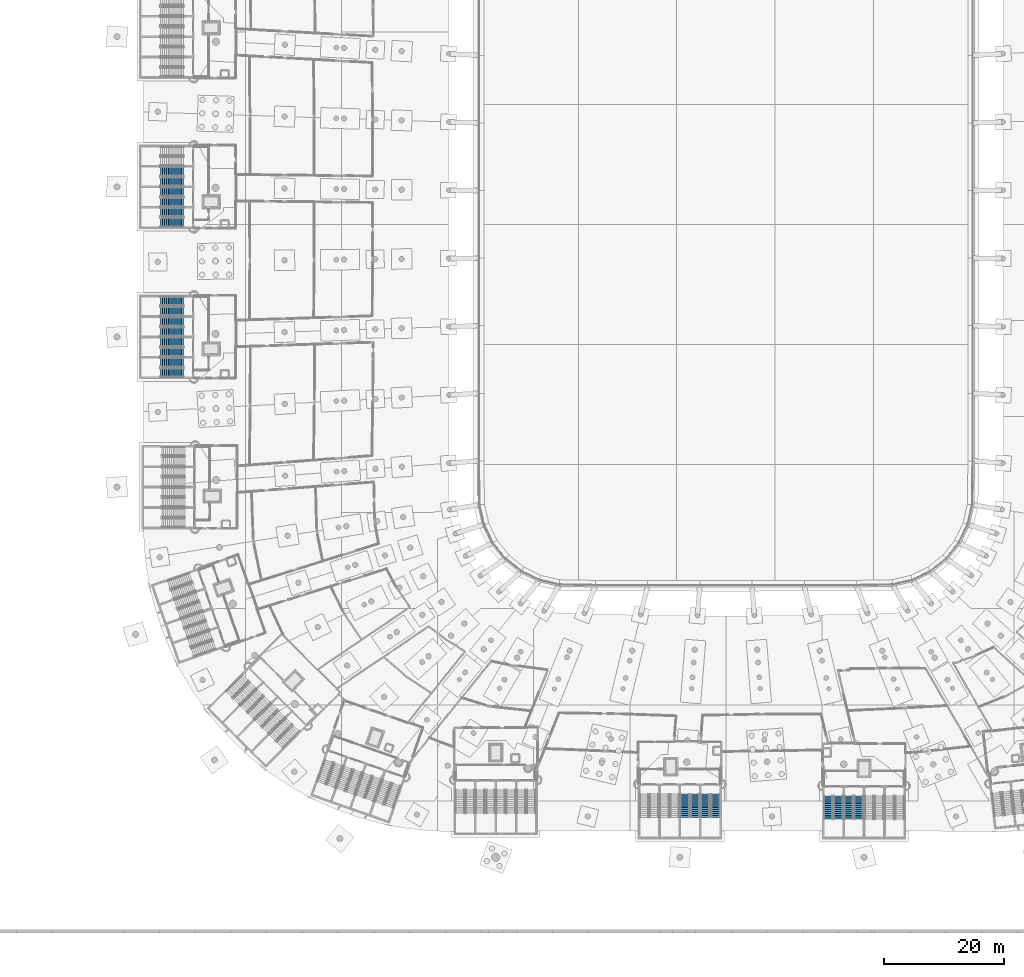
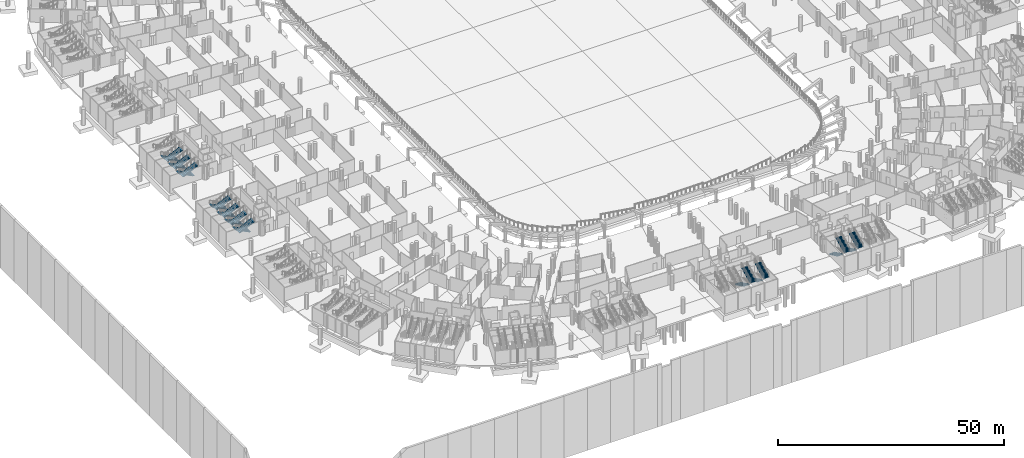
# One storey, part 100 of 142: 22 stair flights, 11 elements without a shape of their own.
"""IFC4 building model written with IfcOpenShell, lengths in metres."""

from ifc_helpers import new_model, si_unit, direction, frame, origin, place, context, subcontext, project, spatial, polyline, outline, extrude, material, type_object, element, aggregate, save


model = new_model("IFC4")

# Units and contexts
model_context = context("Model", 3, precision=1e-05, world=origin(), true_north=direction((0.0, 1.0)))
body_context = subcontext(model_context, "Body", "Model", "MODEL_VIEW")
ifc_project = project(units=[si_unit("LENGTHUNIT", "METRE"), si_unit("AREAUNIT", "SQUARE_METRE"), si_unit("VOLUMEUNIT", "CUBIC_METRE"), si_unit("PLANEANGLEUNIT", "RADIAN"), si_unit("MASSUNIT", "GRAM", prefix="KILO")], contexts=[model_context])

# Site, building, storey
site_placement = place(None, origin())
site = spatial("IfcSite", under=ifc_project, at=site_placement, CompositionType="ELEMENT")
building_placement = place(site_placement, origin())
building = spatial("IfcBuilding", under=site, at=building_placement, Name="Meseta Stadium", CompositionType="ELEMENT")
storey_placement = place(building_placement, frame((0.0, 0.0, -4.0)))
storey = spatial("IfcBuildingStorey", under=building, at=storey_placement, Name="B1", CompositionType="ELEMENT", Elevation=-4.0)

# Stair, stair flights
ifc_material_1 = material(Name="Concrete C40/50", Category="concrete")
stair_type = type_object("IfcStairType", Name="Exit stair 2 flights 154 mm risers", PredefinedType="HALF_TURN_STAIR", material=ifc_material_1)
stair_1_placement = place(storey_placement, origin())
stair_1 = element("IfcStair", 1, at=stair_1_placement, inside=storey, type_object=stair_type, Name="ST66 B1", PredefinedType="HALF_TURN_STAIR")
ifc_material_2 = material(Name="Concrete C40/50", Category="concrete")
stair_flight_type = type_object("IfcStairFlightType", Name="Exit stair flight 154 mm risers, 2 per storey", PredefinedType="STRAIGHT", material=ifc_material_2)
stair_flight_1_placement = place(storey_placement, frame((-90.300048828125, 8.800048828125, 0.0), z_axis=(0.0, 0.0, 1.0), x_axis=(-1.0, 0.0, 0.0)))
stair_flight_1 = element("IfcStairFlight", 2, at=stair_flight_1_placement, type_object=stair_flight_type, Name="ST66 B1 flight 1", NumberOfRisers=13, NumberOfTreads=12, PredefinedType="STRAIGHT", RiserHeight=0.153846154, TreadLength=0.32, context=body_context, shape_type="SweptSolid", body=[
    extrude(outline(polyline([(0.0, 0.0), (0.0, 0.15380859375), (0.320068359375, 0.15380859375), (0.320068359375, 0.3076171875), (0.639892578125, 0.3076171875), (0.639892578125, 0.46142578125), (0.9599609375, 0.46142578125), (0.9599609375, 0.615478515625), (1.280029296875, 0.615478515625), (1.280029296875, 0.769287109375), (1.60009765625, 0.769287109375), (1.60009765625, 0.923095703125), (1.919921875, 0.923095703125), (1.919921875, 1.076904296875), (2.239990234375, 1.076904296875), (2.239990234375, 1.230712890625), (2.56005859375, 1.230712890625), (2.56005859375, 1.384521484375), (2.8798828125, 1.384521484375), (2.8798828125, 1.53857421875), (3.199951171875, 1.53857421875), (3.199951171875, 1.6923828125), (3.52001953125, 1.6923828125), (3.52001953125, 1.84619140625), (3.840087890625, 1.84619140625), (3.840087890625, 1.679931640625), (0.345947265625, 0.0), (0.0, 0.0)])), frame((0.0, 0.75, 0.0), z_axis=(0.0, -1.0, 0.0), x_axis=(1.0, 0.0, 0.0)), (0.0, 0.0, 1.0), 1.5),
])
stair_flight_2_placement = place(storey_placement, frame((-94.139892578125, 7.10009765625, 2.0), z_axis=(0.0, 0.0, 1.0), x_axis=(1.0, 0.0, 0.0)))
stair_flight_2 = element("IfcStairFlight", 3, at=stair_flight_2_placement, type_object=stair_flight_type, Name="ST66 B1 flight 2", NumberOfRisers=13, NumberOfTreads=12, PredefinedType="STRAIGHT", RiserHeight=0.153846154, TreadLength=0.32, context=body_context, shape_type="SweptSolid", body=[
    extrude(outline(polyline([(0.0, 0.0), (0.0, 0.15380859375), (0.320068359375, 0.15380859375), (0.320068359375, 0.3076171875), (0.639892578125, 0.3076171875), (0.639892578125, 0.46142578125), (0.9599609375, 0.46142578125), (0.9599609375, 0.615478515625), (1.280029296875, 0.615478515625), (1.280029296875, 0.769287109375), (1.60009765625, 0.769287109375), (1.60009765625, 0.923095703125), (1.919921875, 0.923095703125), (1.919921875, 1.076904296875), (2.239990234375, 1.076904296875), (2.239990234375, 1.230712890625), (2.56005859375, 1.230712890625), (2.56005859375, 1.384521484375), (2.8798828125, 1.384521484375), (2.8798828125, 1.53857421875), (3.199951171875, 1.53857421875), (3.199951171875, 1.6923828125), (3.52001953125, 1.6923828125), (3.52001953125, 1.84619140625), (3.840087890625, 1.84619140625), (3.840087890625, 1.679931640625), (0.345947265625, 0.0), (0.0, 0.0)])), frame((0.0, 0.75, 0.0), z_axis=(0.0, -1.0, 0.0), x_axis=(1.0, 0.0, 0.0)), (0.0, 0.0, 1.0), 1.5),
])
aggregate(stair_1, [stair_flight_1, stair_flight_2])

stair_2_placement = place(storey_placement, origin())
stair_2 = element("IfcStair", 4, at=stair_2_placement, inside=storey, type_object=stair_type, Name="ST67 B1", PredefinedType="HALF_TURN_STAIR")
stair_flight_3_placement = place(storey_placement, frame((-90.300048828125, 5.39990234375, 0.0), z_axis=(0.0, 0.0, 1.0), x_axis=(-1.0, 0.0, 0.0)))
stair_flight_3 = element("IfcStairFlight", 5, at=stair_flight_3_placement, type_object=stair_flight_type, Name="ST67 B1 flight 1", NumberOfRisers=13, NumberOfTreads=12, PredefinedType="STRAIGHT", RiserHeight=0.153846154, TreadLength=0.32, context=body_context, shape_type="SweptSolid", body=[
    extrude(outline(polyline([(0.0, 0.0), (0.0, 0.15380859375), (0.320068359375, 0.15380859375), (0.320068359375, 0.3076171875), (0.639892578125, 0.3076171875), (0.639892578125, 0.46142578125), (0.9599609375, 0.46142578125), (0.9599609375, 0.615478515625), (1.280029296875, 0.615478515625), (1.280029296875, 0.769287109375), (1.60009765625, 0.769287109375), (1.60009765625, 0.923095703125), (1.919921875, 0.923095703125), (1.919921875, 1.076904296875), (2.239990234375, 1.076904296875), (2.239990234375, 1.230712890625), (2.56005859375, 1.230712890625), (2.56005859375, 1.384521484375), (2.8798828125, 1.384521484375), (2.8798828125, 1.53857421875), (3.199951171875, 1.53857421875), (3.199951171875, 1.6923828125), (3.52001953125, 1.6923828125), (3.52001953125, 1.84619140625), (3.840087890625, 1.84619140625), (3.840087890625, 1.679931640625), (0.345947265625, 0.0), (0.0, 0.0)])), frame((0.0, 0.75, 0.0), z_axis=(0.0, -1.0, 0.0), x_axis=(1.0, 0.0, 0.0)), (0.0, 0.0, 1.0), 1.5),
])
stair_flight_4_placement = place(storey_placement, frame((-94.139892578125, 3.699951171875, 2.0), z_axis=(0.0, 0.0, 1.0), x_axis=(1.0, 0.0, 0.0)))
stair_flight_4 = element("IfcStairFlight", 6, at=stair_flight_4_placement, type_object=stair_flight_type, Name="ST67 B1 flight 2", NumberOfRisers=13, NumberOfTreads=12, PredefinedType="STRAIGHT", RiserHeight=0.153846154, TreadLength=0.32, context=body_context, shape_type="SweptSolid", body=[
    extrude(outline(polyline([(0.0, 0.0), (0.0, 0.15380859375), (0.320068359375, 0.15380859375), (0.320068359375, 0.3076171875), (0.639892578125, 0.3076171875), (0.639892578125, 0.46142578125), (0.9599609375, 0.46142578125), (0.9599609375, 0.615478515625), (1.280029296875, 0.615478515625), (1.280029296875, 0.769287109375), (1.60009765625, 0.769287109375), (1.60009765625, 0.923095703125), (1.919921875, 0.923095703125), (1.919921875, 1.076904296875), (2.239990234375, 1.076904296875), (2.239990234375, 1.230712890625), (2.56005859375, 1.230712890625), (2.56005859375, 1.384521484375), (2.8798828125, 1.384521484375), (2.8798828125, 1.53857421875), (3.199951171875, 1.53857421875), (3.199951171875, 1.6923828125), (3.52001953125, 1.6923828125), (3.52001953125, 1.84619140625), (3.840087890625, 1.84619140625), (3.840087890625, 1.679931640625), (0.345947265625, 0.0), (0.0, 0.0)])), frame((0.0, 0.75, 0.0), z_axis=(0.0, -1.0, 0.0), x_axis=(1.0, 0.0, 0.0)), (0.0, 0.0, 1.0), 1.5),
])
aggregate(stair_2, [stair_flight_3, stair_flight_4])

stair_3_placement = place(storey_placement, origin())
stair_3 = element("IfcStair", 7, at=stair_3_placement, inside=storey, type_object=stair_type, Name="ST68 B1", PredefinedType="HALF_TURN_STAIR")
stair_flight_5_placement = place(storey_placement, frame((-90.300048828125, 2.0, 0.0), z_axis=(0.0, 0.0, 1.0), x_axis=(-1.0, 0.0, 0.0)))
stair_flight_5 = element("IfcStairFlight", 8, at=stair_flight_5_placement, type_object=stair_flight_type, Name="ST68 B1 flight 1", NumberOfRisers=13, NumberOfTreads=12, PredefinedType="STRAIGHT", RiserHeight=0.153846154, TreadLength=0.32, context=body_context, shape_type="SweptSolid", body=[
    extrude(outline(polyline([(0.0, 0.0), (0.0, 0.15380859375), (0.320068359375, 0.15380859375), (0.320068359375, 0.3076171875), (0.639892578125, 0.3076171875), (0.639892578125, 0.46142578125), (0.9599609375, 0.46142578125), (0.9599609375, 0.615478515625), (1.280029296875, 0.615478515625), (1.280029296875, 0.769287109375), (1.60009765625, 0.769287109375), (1.60009765625, 0.923095703125), (1.919921875, 0.923095703125), (1.919921875, 1.076904296875), (2.239990234375, 1.076904296875), (2.239990234375, 1.230712890625), (2.56005859375, 1.230712890625), (2.56005859375, 1.384521484375), (2.8798828125, 1.384521484375), (2.8798828125, 1.53857421875), (3.199951171875, 1.53857421875), (3.199951171875, 1.6923828125), (3.52001953125, 1.6923828125), (3.52001953125, 1.84619140625), (3.840087890625, 1.84619140625), (3.840087890625, 1.679931640625), (0.345947265625, 0.0), (0.0, 0.0)])), frame((0.0, 0.75, 0.0), z_axis=(0.0, -1.0, 0.0), x_axis=(1.0, 0.0, 0.0)), (0.0, 0.0, 1.0), 1.5),
])
stair_flight_6_placement = place(storey_placement, frame((-94.139892578125, 0.300048828125, 2.0), z_axis=(0.0, 0.0, 1.0), x_axis=(1.0, 0.0, 0.0)))
stair_flight_6 = element("IfcStairFlight", 9, at=stair_flight_6_placement, type_object=stair_flight_type, Name="ST68 B1 flight 2", NumberOfRisers=13, NumberOfTreads=12, PredefinedType="STRAIGHT", RiserHeight=0.153846154, TreadLength=0.32, context=body_context, shape_type="SweptSolid", body=[
    extrude(outline(polyline([(0.0, 0.0), (0.0, 0.15380859375), (0.320068359375, 0.15380859375), (0.320068359375, 0.3076171875), (0.639892578125, 0.3076171875), (0.639892578125, 0.46142578125), (0.9599609375, 0.46142578125), (0.9599609375, 0.615478515625), (1.280029296875, 0.615478515625), (1.280029296875, 0.769287109375), (1.60009765625, 0.769287109375), (1.60009765625, 0.923095703125), (1.919921875, 0.923095703125), (1.919921875, 1.076904296875), (2.239990234375, 1.076904296875), (2.239990234375, 1.230712890625), (2.56005859375, 1.230712890625), (2.56005859375, 1.384521484375), (2.8798828125, 1.384521484375), (2.8798828125, 1.53857421875), (3.199951171875, 1.53857421875), (3.199951171875, 1.6923828125), (3.52001953125, 1.6923828125), (3.52001953125, 1.84619140625), (3.840087890625, 1.84619140625), (3.840087890625, 1.679931640625), (0.345947265625, 0.0), (0.0, 0.0)])), frame((0.0, 0.75, 0.0), z_axis=(0.0, -1.0, 0.0), x_axis=(1.0, 0.0, 0.0)), (0.0, 0.0, 1.0), 1.5),
])
aggregate(stair_3, [stair_flight_5, stair_flight_6])

stair_4_placement = place(storey_placement, origin())
stair_4 = element("IfcStair", 10, at=stair_4_placement, inside=storey, type_object=stair_type, Name="ST69 B1", PredefinedType="HALF_TURN_STAIR")
stair_flight_7_placement = place(storey_placement, frame((-90.300048828125, -12.800048828125, 0.0), z_axis=(0.0, 0.0, 1.0), x_axis=(-1.0, 0.0, 0.0)))
stair_flight_7 = element("IfcStairFlight", 11, at=stair_flight_7_placement, type_object=stair_flight_type, Name="ST69 B1 flight 1", NumberOfRisers=13, NumberOfTreads=12, PredefinedType="STRAIGHT", RiserHeight=0.153846154, TreadLength=0.32, context=body_context, shape_type="SweptSolid", body=[
    extrude(outline(polyline([(0.0, 0.0), (0.0, 0.15380859375), (0.320068359375, 0.15380859375), (0.320068359375, 0.3076171875), (0.639892578125, 0.3076171875), (0.639892578125, 0.46142578125), (0.9599609375, 0.46142578125), (0.9599609375, 0.615478515625), (1.280029296875, 0.615478515625), (1.280029296875, 0.769287109375), (1.60009765625, 0.769287109375), (1.60009765625, 0.923095703125), (1.919921875, 0.923095703125), (1.919921875, 1.076904296875), (2.239990234375, 1.076904296875), (2.239990234375, 1.230712890625), (2.56005859375, 1.230712890625), (2.56005859375, 1.384521484375), (2.8798828125, 1.384521484375), (2.8798828125, 1.53857421875), (3.199951171875, 1.53857421875), (3.199951171875, 1.6923828125), (3.52001953125, 1.6923828125), (3.52001953125, 1.84619140625), (3.840087890625, 1.84619140625), (3.840087890625, 1.679931640625), (0.345947265625, 0.0), (0.0, 0.0)])), frame((0.0, 0.75, 0.0), z_axis=(0.0, -1.0, 0.0), x_axis=(1.0, 0.0, 0.0)), (0.0, 0.0, 1.0), 1.5),
])
stair_flight_8_placement = place(storey_placement, frame((-94.139892578125, -14.5, 2.0), z_axis=(0.0, 0.0, 1.0), x_axis=(1.0, 0.0, 0.0)))
stair_flight_8 = element("IfcStairFlight", 12, at=stair_flight_8_placement, type_object=stair_flight_type, Name="ST69 B1 flight 2", NumberOfRisers=13, NumberOfTreads=12, PredefinedType="STRAIGHT", RiserHeight=0.153846154, TreadLength=0.32, context=body_context, shape_type="SweptSolid", body=[
    extrude(outline(polyline([(0.0, 0.0), (0.0, 0.15380859375), (0.320068359375, 0.15380859375), (0.320068359375, 0.3076171875), (0.639892578125, 0.3076171875), (0.639892578125, 0.46142578125), (0.9599609375, 0.46142578125), (0.9599609375, 0.615478515625), (1.280029296875, 0.615478515625), (1.280029296875, 0.769287109375), (1.60009765625, 0.769287109375), (1.60009765625, 0.923095703125), (1.919921875, 0.923095703125), (1.919921875, 1.076904296875), (2.239990234375, 1.076904296875), (2.239990234375, 1.230712890625), (2.56005859375, 1.230712890625), (2.56005859375, 1.384521484375), (2.8798828125, 1.384521484375), (2.8798828125, 1.53857421875), (3.199951171875, 1.53857421875), (3.199951171875, 1.6923828125), (3.52001953125, 1.6923828125), (3.52001953125, 1.84619140625), (3.840087890625, 1.84619140625), (3.840087890625, 1.679931640625), (0.345947265625, 0.0), (0.0, 0.0)])), frame((0.0, 0.75, 0.0), z_axis=(0.0, -1.0, 0.0), x_axis=(1.0, 0.0, 0.0)), (0.0, 0.0, 1.0), 1.5),
])
aggregate(stair_4, [stair_flight_7, stair_flight_8])

stair_5_placement = place(storey_placement, origin())
stair_5 = element("IfcStair", 13, at=stair_5_placement, inside=storey, type_object=stair_type, Name="ST70 B1", PredefinedType="HALF_TURN_STAIR")
stair_flight_9_placement = place(storey_placement, frame((-90.300048828125, -16.199951171875, 0.0), z_axis=(0.0, 0.0, 1.0), x_axis=(-1.0, 0.0, 0.0)))
stair_flight_9 = element("IfcStairFlight", 14, at=stair_flight_9_placement, type_object=stair_flight_type, Name="ST70 B1 flight 1", NumberOfRisers=13, NumberOfTreads=12, PredefinedType="STRAIGHT", RiserHeight=0.153846154, TreadLength=0.32, context=body_context, shape_type="SweptSolid", body=[
    extrude(outline(polyline([(0.0, 0.0), (0.0, 0.15380859375), (0.320068359375, 0.15380859375), (0.320068359375, 0.3076171875), (0.639892578125, 0.3076171875), (0.639892578125, 0.46142578125), (0.9599609375, 0.46142578125), (0.9599609375, 0.615478515625), (1.280029296875, 0.615478515625), (1.280029296875, 0.769287109375), (1.60009765625, 0.769287109375), (1.60009765625, 0.923095703125), (1.919921875, 0.923095703125), (1.919921875, 1.076904296875), (2.239990234375, 1.076904296875), (2.239990234375, 1.230712890625), (2.56005859375, 1.230712890625), (2.56005859375, 1.384521484375), (2.8798828125, 1.384521484375), (2.8798828125, 1.53857421875), (3.199951171875, 1.53857421875), (3.199951171875, 1.6923828125), (3.52001953125, 1.6923828125), (3.52001953125, 1.84619140625), (3.840087890625, 1.84619140625), (3.840087890625, 1.679931640625), (0.345947265625, 0.0), (0.0, 0.0)])), frame((0.0, 0.75, 0.0), z_axis=(0.0, -1.0, 0.0), x_axis=(1.0, 0.0, 0.0)), (0.0, 0.0, 1.0), 1.5),
])
stair_flight_10_placement = place(storey_placement, frame((-94.139892578125, -17.89990234375, 2.0), z_axis=(0.0, 0.0, 1.0), x_axis=(1.0, 0.0, 0.0)))
stair_flight_10 = element("IfcStairFlight", 15, at=stair_flight_10_placement, type_object=stair_flight_type, Name="ST70 B1 flight 2", NumberOfRisers=13, NumberOfTreads=12, PredefinedType="STRAIGHT", RiserHeight=0.153846154, TreadLength=0.32, context=body_context, shape_type="SweptSolid", body=[
    extrude(outline(polyline([(0.0, 0.0), (0.0, 0.15380859375), (0.320068359375, 0.15380859375), (0.320068359375, 0.3076171875), (0.639892578125, 0.3076171875), (0.639892578125, 0.46142578125), (0.9599609375, 0.46142578125), (0.9599609375, 0.615478515625), (1.280029296875, 0.615478515625), (1.280029296875, 0.769287109375), (1.60009765625, 0.769287109375), (1.60009765625, 0.923095703125), (1.919921875, 0.923095703125), (1.919921875, 1.076904296875), (2.239990234375, 1.076904296875), (2.239990234375, 1.230712890625), (2.56005859375, 1.230712890625), (2.56005859375, 1.384521484375), (2.8798828125, 1.384521484375), (2.8798828125, 1.53857421875), (3.199951171875, 1.53857421875), (3.199951171875, 1.6923828125), (3.52001953125, 1.6923828125), (3.52001953125, 1.84619140625), (3.840087890625, 1.84619140625), (3.840087890625, 1.679931640625), (0.345947265625, 0.0), (0.0, 0.0)])), frame((0.0, 0.75, 0.0), z_axis=(0.0, -1.0, 0.0), x_axis=(1.0, 0.0, 0.0)), (0.0, 0.0, 1.0), 1.5),
])
aggregate(stair_5, [stair_flight_9, stair_flight_10])

stair_6_placement = place(storey_placement, origin())
stair_6 = element("IfcStair", 16, at=stair_6_placement, inside=storey, type_object=stair_type, Name="ST71 B1", PredefinedType="HALF_TURN_STAIR")
stair_flight_11_placement = place(storey_placement, frame((-90.300048828125, -19.60009765625, 0.0), z_axis=(0.0, 0.0, 1.0), x_axis=(-1.0, 0.0, 0.0)))
stair_flight_11 = element("IfcStairFlight", 17, at=stair_flight_11_placement, type_object=stair_flight_type, Name="ST71 B1 flight 1", NumberOfRisers=13, NumberOfTreads=12, PredefinedType="STRAIGHT", RiserHeight=0.153846154, TreadLength=0.32, context=body_context, shape_type="SweptSolid", body=[
    extrude(outline(polyline([(0.0, 0.0), (0.0, 0.15380859375), (0.320068359375, 0.15380859375), (0.320068359375, 0.3076171875), (0.639892578125, 0.3076171875), (0.639892578125, 0.46142578125), (0.9599609375, 0.46142578125), (0.9599609375, 0.615478515625), (1.280029296875, 0.615478515625), (1.280029296875, 0.769287109375), (1.60009765625, 0.769287109375), (1.60009765625, 0.923095703125), (1.919921875, 0.923095703125), (1.919921875, 1.076904296875), (2.239990234375, 1.076904296875), (2.239990234375, 1.230712890625), (2.56005859375, 1.230712890625), (2.56005859375, 1.384521484375), (2.8798828125, 1.384521484375), (2.8798828125, 1.53857421875), (3.199951171875, 1.53857421875), (3.199951171875, 1.6923828125), (3.52001953125, 1.6923828125), (3.52001953125, 1.84619140625), (3.840087890625, 1.84619140625), (3.840087890625, 1.679931640625), (0.345947265625, 0.0), (0.0, 0.0)])), frame((0.0, 0.75, 0.0), z_axis=(0.0, -1.0, 0.0), x_axis=(1.0, 0.0, 0.0)), (0.0, 0.0, 1.0), 1.5),
])
stair_flight_12_placement = place(storey_placement, frame((-94.139892578125, -21.300048828125, 2.0), z_axis=(0.0, 0.0, 1.0), x_axis=(1.0, 0.0, 0.0)))
stair_flight_12 = element("IfcStairFlight", 18, at=stair_flight_12_placement, type_object=stair_flight_type, Name="ST71 B1 flight 2", NumberOfRisers=13, NumberOfTreads=12, PredefinedType="STRAIGHT", RiserHeight=0.153846154, TreadLength=0.32, context=body_context, shape_type="SweptSolid", body=[
    extrude(outline(polyline([(0.0, 0.0), (0.0, 0.15380859375), (0.320068359375, 0.15380859375), (0.320068359375, 0.3076171875), (0.639892578125, 0.3076171875), (0.639892578125, 0.46142578125), (0.9599609375, 0.46142578125), (0.9599609375, 0.615478515625), (1.280029296875, 0.615478515625), (1.280029296875, 0.769287109375), (1.60009765625, 0.769287109375), (1.60009765625, 0.923095703125), (1.919921875, 0.923095703125), (1.919921875, 1.076904296875), (2.239990234375, 1.076904296875), (2.239990234375, 1.230712890625), (2.56005859375, 1.230712890625), (2.56005859375, 1.384521484375), (2.8798828125, 1.384521484375), (2.8798828125, 1.53857421875), (3.199951171875, 1.53857421875), (3.199951171875, 1.6923828125), (3.52001953125, 1.6923828125), (3.52001953125, 1.84619140625), (3.840087890625, 1.84619140625), (3.840087890625, 1.679931640625), (0.345947265625, 0.0), (0.0, 0.0)])), frame((0.0, 0.75, 0.0), z_axis=(0.0, -1.0, 0.0), x_axis=(1.0, 0.0, 0.0)), (0.0, 0.0, 1.0), 1.5),
])
aggregate(stair_6, [stair_flight_11, stair_flight_12])

stair_7_placement = place(storey_placement, origin())
stair_7 = element("IfcStair", 19, at=stair_7_placement, inside=storey, type_object=stair_type, Name="ST72 B1", PredefinedType="HALF_TURN_STAIR")
stair_flight_13_placement = place(storey_placement, frame((-90.300048828125, -23.0, 0.0), z_axis=(0.0, 0.0, 1.0), x_axis=(-1.0, 0.0, 0.0)))
stair_flight_13 = element("IfcStairFlight", 20, at=stair_flight_13_placement, type_object=stair_flight_type, Name="ST72 B1 flight 1", NumberOfRisers=13, NumberOfTreads=12, PredefinedType="STRAIGHT", RiserHeight=0.153846154, TreadLength=0.32, context=body_context, shape_type="SweptSolid", body=[
    extrude(outline(polyline([(0.0, 0.0), (0.0, 0.15380859375), (0.320068359375, 0.15380859375), (0.320068359375, 0.3076171875), (0.639892578125, 0.3076171875), (0.639892578125, 0.46142578125), (0.9599609375, 0.46142578125), (0.9599609375, 0.615478515625), (1.280029296875, 0.615478515625), (1.280029296875, 0.769287109375), (1.60009765625, 0.769287109375), (1.60009765625, 0.923095703125), (1.919921875, 0.923095703125), (1.919921875, 1.076904296875), (2.239990234375, 1.076904296875), (2.239990234375, 1.230712890625), (2.56005859375, 1.230712890625), (2.56005859375, 1.384521484375), (2.8798828125, 1.384521484375), (2.8798828125, 1.53857421875), (3.199951171875, 1.53857421875), (3.199951171875, 1.6923828125), (3.52001953125, 1.6923828125), (3.52001953125, 1.84619140625), (3.840087890625, 1.84619140625), (3.840087890625, 1.679931640625), (0.345947265625, 0.0), (0.0, 0.0)])), frame((0.0, 0.75, 0.0), z_axis=(0.0, -1.0, 0.0), x_axis=(1.0, 0.0, 0.0)), (0.0, 0.0, 1.0), 1.5),
])
stair_flight_14_placement = place(storey_placement, frame((-94.139892578125, -24.699951171875, 2.0), z_axis=(0.0, 0.0, 1.0), x_axis=(1.0, 0.0, 0.0)))
stair_flight_14 = element("IfcStairFlight", 21, at=stair_flight_14_placement, type_object=stair_flight_type, Name="ST72 B1 flight 2", NumberOfRisers=13, NumberOfTreads=12, PredefinedType="STRAIGHT", RiserHeight=0.153846154, TreadLength=0.32, context=body_context, shape_type="SweptSolid", body=[
    extrude(outline(polyline([(0.0, 0.0), (0.0, 0.15380859375), (0.320068359375, 0.15380859375), (0.320068359375, 0.3076171875), (0.639892578125, 0.3076171875), (0.639892578125, 0.46142578125), (0.9599609375, 0.46142578125), (0.9599609375, 0.615478515625), (1.280029296875, 0.615478515625), (1.280029296875, 0.769287109375), (1.60009765625, 0.769287109375), (1.60009765625, 0.923095703125), (1.919921875, 0.923095703125), (1.919921875, 1.076904296875), (2.239990234375, 1.076904296875), (2.239990234375, 1.230712890625), (2.56005859375, 1.230712890625), (2.56005859375, 1.384521484375), (2.8798828125, 1.384521484375), (2.8798828125, 1.53857421875), (3.199951171875, 1.53857421875), (3.199951171875, 1.6923828125), (3.52001953125, 1.6923828125), (3.52001953125, 1.84619140625), (3.840087890625, 1.84619140625), (3.840087890625, 1.679931640625), (0.345947265625, 0.0), (0.0, 0.0)])), frame((0.0, 0.75, 0.0), z_axis=(0.0, -1.0, 0.0), x_axis=(1.0, 0.0, 0.0)), (0.0, 0.0, 1.0), 1.5),
])
aggregate(stair_7, [stair_flight_13, stair_flight_14])

stair_8_placement = place(storey_placement, origin())
stair_8 = element("IfcStair", 22, at=stair_8_placement, inside=storey, type_object=stair_type, Name="ST95 B1", PredefinedType="HALF_TURN_STAIR")
stair_flight_15_placement = place(storey_placement, frame((-6.816650390625, -94.89990234375, 0.0), z_axis=(0.0, 0.0, 1.0), x_axis=(0.0, -1.0, 0.0)))
stair_flight_15 = element("IfcStairFlight", 23, at=stair_flight_15_placement, type_object=stair_flight_type, Name="ST95 B1 flight 1", NumberOfRisers=13, NumberOfTreads=12, PredefinedType="STRAIGHT", RiserHeight=0.153846154, TreadLength=0.32, context=body_context, shape_type="SweptSolid", body=[
    extrude(outline(polyline([(0.0, 0.0), (0.0, 0.15380859375), (0.320068359375, 0.15380859375), (0.320068359375, 0.3076171875), (0.639892578125, 0.3076171875), (0.639892578125, 0.46142578125), (0.9599609375, 0.46142578125), (0.9599609375, 0.615478515625), (1.280029296875, 0.615478515625), (1.280029296875, 0.769287109375), (1.60009765625, 0.769287109375), (1.60009765625, 0.923095703125), (1.919921875, 0.923095703125), (1.919921875, 1.076904296875), (2.239990234375, 1.076904296875), (2.239990234375, 1.230712890625), (2.56005859375, 1.230712890625), (2.56005859375, 1.384521484375), (2.8798828125, 1.384521484375), (2.8798828125, 1.53857421875), (3.199951171875, 1.53857421875), (3.199951171875, 1.6923828125), (3.52001953125, 1.6923828125), (3.52001953125, 1.84619140625), (3.840087890625, 1.84619140625), (3.840087890625, 1.679931640625), (0.345947265625, 0.0), (0.0, 0.0)])), frame((0.0, 0.75, 0.0), z_axis=(0.0, -1.0, 0.0), x_axis=(1.0, 0.0, 0.0)), (0.0, 0.0, 1.0), 1.5),
])
stair_flight_16_placement = place(storey_placement, frame((-5.11669921875, -98.739990234375, 2.0), z_axis=(0.0, 0.0, 1.0), x_axis=(0.0, 1.0, 0.0)))
stair_flight_16 = element("IfcStairFlight", 24, at=stair_flight_16_placement, type_object=stair_flight_type, Name="ST95 B1 flight 2", NumberOfRisers=13, NumberOfTreads=12, PredefinedType="STRAIGHT", RiserHeight=0.153846154, TreadLength=0.32, context=body_context, shape_type="SweptSolid", body=[
    extrude(outline(polyline([(0.0, 0.0), (0.0, 0.15380859375), (0.320068359375, 0.15380859375), (0.320068359375, 0.3076171875), (0.639892578125, 0.3076171875), (0.639892578125, 0.46142578125), (0.9599609375, 0.46142578125), (0.9599609375, 0.615478515625), (1.280029296875, 0.615478515625), (1.280029296875, 0.769287109375), (1.60009765625, 0.769287109375), (1.60009765625, 0.923095703125), (1.919921875, 0.923095703125), (1.919921875, 1.076904296875), (2.239990234375, 1.076904296875), (2.239990234375, 1.230712890625), (2.56005859375, 1.230712890625), (2.56005859375, 1.384521484375), (2.8798828125, 1.384521484375), (2.8798828125, 1.53857421875), (3.199951171875, 1.53857421875), (3.199951171875, 1.6923828125), (3.52001953125, 1.6923828125), (3.52001953125, 1.84619140625), (3.840087890625, 1.84619140625), (3.840087890625, 1.679931640625), (0.345947265625, 0.0), (0.0, 0.0)])), frame((0.0, 0.75, 0.0), z_axis=(0.0, -1.0, 0.0), x_axis=(1.0, 0.0, 0.0)), (0.0, 0.0, 1.0), 1.5),
])
aggregate(stair_8, [stair_flight_15, stair_flight_16])

stair_9_placement = place(storey_placement, origin())
stair_9 = element("IfcStair", 25, at=stair_9_placement, inside=storey, type_object=stair_type, Name="ST96 B1", PredefinedType="HALF_TURN_STAIR")
stair_flight_17_placement = place(storey_placement, frame((-3.416748046875, -94.89990234375, 0.0), z_axis=(0.0, 0.0, 1.0), x_axis=(0.0, -1.0, 0.0)))
stair_flight_17 = element("IfcStairFlight", 26, at=stair_flight_17_placement, type_object=stair_flight_type, Name="ST96 B1 flight 1", NumberOfRisers=13, NumberOfTreads=12, PredefinedType="STRAIGHT", RiserHeight=0.153846154, TreadLength=0.32, context=body_context, shape_type="SweptSolid", body=[
    extrude(outline(polyline([(0.0, 0.0), (0.0, 0.15380859375), (0.320068359375, 0.15380859375), (0.320068359375, 0.3076171875), (0.639892578125, 0.3076171875), (0.639892578125, 0.46142578125), (0.9599609375, 0.46142578125), (0.9599609375, 0.615478515625), (1.280029296875, 0.615478515625), (1.280029296875, 0.769287109375), (1.60009765625, 0.769287109375), (1.60009765625, 0.923095703125), (1.919921875, 0.923095703125), (1.919921875, 1.076904296875), (2.239990234375, 1.076904296875), (2.239990234375, 1.230712890625), (2.56005859375, 1.230712890625), (2.56005859375, 1.384521484375), (2.8798828125, 1.384521484375), (2.8798828125, 1.53857421875), (3.199951171875, 1.53857421875), (3.199951171875, 1.6923828125), (3.52001953125, 1.6923828125), (3.52001953125, 1.84619140625), (3.840087890625, 1.84619140625), (3.840087890625, 1.679931640625), (0.345947265625, 0.0), (0.0, 0.0)])), frame((0.0, 0.75, 0.0), z_axis=(0.0, -1.0, 0.0), x_axis=(1.0, 0.0, 0.0)), (0.0, 0.0, 1.0), 1.5),
])
stair_flight_18_placement = place(storey_placement, frame((-1.716552734375, -98.739990234375, 2.0), z_axis=(0.0, 0.0, 1.0), x_axis=(0.0, 1.0, 0.0)))
stair_flight_18 = element("IfcStairFlight", 27, at=stair_flight_18_placement, type_object=stair_flight_type, Name="ST96 B1 flight 2", NumberOfRisers=13, NumberOfTreads=12, PredefinedType="STRAIGHT", RiserHeight=0.153846154, TreadLength=0.32, context=body_context, shape_type="SweptSolid", body=[
    extrude(outline(polyline([(0.0, 0.0), (0.0, 0.15380859375), (0.320068359375, 0.15380859375), (0.320068359375, 0.3076171875), (0.639892578125, 0.3076171875), (0.639892578125, 0.46142578125), (0.9599609375, 0.46142578125), (0.9599609375, 0.615478515625), (1.280029296875, 0.615478515625), (1.280029296875, 0.769287109375), (1.60009765625, 0.769287109375), (1.60009765625, 0.923095703125), (1.919921875, 0.923095703125), (1.919921875, 1.076904296875), (2.239990234375, 1.076904296875), (2.239990234375, 1.230712890625), (2.56005859375, 1.230712890625), (2.56005859375, 1.384521484375), (2.8798828125, 1.384521484375), (2.8798828125, 1.53857421875), (3.199951171875, 1.53857421875), (3.199951171875, 1.6923828125), (3.52001953125, 1.6923828125), (3.52001953125, 1.84619140625), (3.840087890625, 1.84619140625), (3.840087890625, 1.679931640625), (0.345947265625, 0.0), (0.0, 0.0)])), frame((0.0, 0.75, 0.0), z_axis=(0.0, -1.0, 0.0), x_axis=(1.0, 0.0, 0.0)), (0.0, 0.0, 1.0), 1.5),
])
aggregate(stair_9, [stair_flight_17, stair_flight_18])

stair_10_placement = place(storey_placement, origin())
stair_10 = element("IfcStair", 28, at=stair_10_placement, inside=storey, type_object=stair_type, Name="ST97 B1", PredefinedType="HALF_TURN_STAIR")
stair_flight_19_placement = place(storey_placement, frame((17.050048828125, -95.199951171875, 0.0), z_axis=(0.0, 0.0, 1.0), x_axis=(0.0, -1.0, 0.0)))
stair_flight_19 = element("IfcStairFlight", 29, at=stair_flight_19_placement, type_object=stair_flight_type, Name="ST97 B1 flight 1", NumberOfRisers=13, NumberOfTreads=12, PredefinedType="STRAIGHT", RiserHeight=0.153846154, TreadLength=0.32, context=body_context, shape_type="SweptSolid", body=[
    extrude(outline(polyline([(0.0, 0.0), (0.0, 0.15380859375), (0.320068359375, 0.15380859375), (0.320068359375, 0.3076171875), (0.639892578125, 0.3076171875), (0.639892578125, 0.46142578125), (0.9599609375, 0.46142578125), (0.9599609375, 0.615478515625), (1.280029296875, 0.615478515625), (1.280029296875, 0.769287109375), (1.60009765625, 0.769287109375), (1.60009765625, 0.923095703125), (1.919921875, 0.923095703125), (1.919921875, 1.076904296875), (2.239990234375, 1.076904296875), (2.239990234375, 1.230712890625), (2.56005859375, 1.230712890625), (2.56005859375, 1.384521484375), (2.8798828125, 1.384521484375), (2.8798828125, 1.53857421875), (3.199951171875, 1.53857421875), (3.199951171875, 1.6923828125), (3.52001953125, 1.6923828125), (3.52001953125, 1.84619140625), (3.840087890625, 1.84619140625), (3.840087890625, 1.679931640625), (0.345947265625, 0.0), (0.0, 0.0)])), frame((0.0, 0.75, 0.0), z_axis=(0.0, -1.0, 0.0), x_axis=(1.0, 0.0, 0.0)), (0.0, 0.0, 1.0), 1.5),
])
stair_flight_20_placement = place(storey_placement, frame((18.75, -99.0400390625, 2.0), z_axis=(0.0, 0.0, 1.0), x_axis=(0.0, 1.0, 0.0)))
stair_flight_20 = element("IfcStairFlight", 30, at=stair_flight_20_placement, type_object=stair_flight_type, Name="ST97 B1 flight 2", NumberOfRisers=13, NumberOfTreads=12, PredefinedType="STRAIGHT", RiserHeight=0.153846154, TreadLength=0.32, context=body_context, shape_type="SweptSolid", body=[
    extrude(outline(polyline([(0.0, 0.0), (0.0, 0.15380859375), (0.320068359375, 0.15380859375), (0.320068359375, 0.3076171875), (0.639892578125, 0.3076171875), (0.639892578125, 0.46142578125), (0.9599609375, 0.46142578125), (0.9599609375, 0.615478515625), (1.280029296875, 0.615478515625), (1.280029296875, 0.769287109375), (1.60009765625, 0.769287109375), (1.60009765625, 0.923095703125), (1.919921875, 0.923095703125), (1.919921875, 1.076904296875), (2.239990234375, 1.076904296875), (2.239990234375, 1.230712890625), (2.56005859375, 1.230712890625), (2.56005859375, 1.384521484375), (2.8798828125, 1.384521484375), (2.8798828125, 1.53857421875), (3.199951171875, 1.53857421875), (3.199951171875, 1.6923828125), (3.52001953125, 1.6923828125), (3.52001953125, 1.84619140625), (3.840087890625, 1.84619140625), (3.840087890625, 1.679931640625), (0.345947265625, 0.0), (0.0, 0.0)])), frame((0.0, 0.75, 0.0), z_axis=(0.0, -1.0, 0.0), x_axis=(1.0, 0.0, 0.0)), (0.0, 0.0, 1.0), 1.5),
])
aggregate(stair_10, [stair_flight_19, stair_flight_20])

stair_11_placement = place(storey_placement, origin())
stair_11 = element("IfcStair", 31, at=stair_11_placement, inside=storey, type_object=stair_type, Name="ST98 B1", PredefinedType="HALF_TURN_STAIR")
stair_flight_21_placement = place(storey_placement, frame((20.449951171875, -95.199951171875, 0.0), z_axis=(0.0, 0.0, 1.0), x_axis=(0.0, -1.0, 0.0)))
stair_flight_21 = element("IfcStairFlight", 32, at=stair_flight_21_placement, type_object=stair_flight_type, Name="ST98 B1 flight 1", NumberOfRisers=13, NumberOfTreads=12, PredefinedType="STRAIGHT", RiserHeight=0.153846154, TreadLength=0.32, context=body_context, shape_type="SweptSolid", body=[
    extrude(outline(polyline([(0.0, 0.0), (0.0, 0.15380859375), (0.320068359375, 0.15380859375), (0.320068359375, 0.3076171875), (0.639892578125, 0.3076171875), (0.639892578125, 0.46142578125), (0.9599609375, 0.46142578125), (0.9599609375, 0.615478515625), (1.280029296875, 0.615478515625), (1.280029296875, 0.769287109375), (1.60009765625, 0.769287109375), (1.60009765625, 0.923095703125), (1.919921875, 0.923095703125), (1.919921875, 1.076904296875), (2.239990234375, 1.076904296875), (2.239990234375, 1.230712890625), (2.56005859375, 1.230712890625), (2.56005859375, 1.384521484375), (2.8798828125, 1.384521484375), (2.8798828125, 1.53857421875), (3.199951171875, 1.53857421875), (3.199951171875, 1.6923828125), (3.52001953125, 1.6923828125), (3.52001953125, 1.84619140625), (3.840087890625, 1.84619140625), (3.840087890625, 1.679931640625), (0.345947265625, 0.0), (0.0, 0.0)])), frame((0.0, 0.75, 0.0), z_axis=(0.0, -1.0, 0.0), x_axis=(1.0, 0.0, 0.0)), (0.0, 0.0, 1.0), 1.5),
])
stair_flight_22_placement = place(storey_placement, frame((22.14990234375, -99.0400390625, 2.0), z_axis=(0.0, 0.0, 1.0), x_axis=(0.0, 1.0, 0.0)))
stair_flight_22 = element("IfcStairFlight", 33, at=stair_flight_22_placement, type_object=stair_flight_type, Name="ST98 B1 flight 2", NumberOfRisers=13, NumberOfTreads=12, PredefinedType="STRAIGHT", RiserHeight=0.153846154, TreadLength=0.32, context=body_context, shape_type="SweptSolid", body=[
    extrude(outline(polyline([(0.0, 0.0), (0.0, 0.15380859375), (0.320068359375, 0.15380859375), (0.320068359375, 0.3076171875), (0.639892578125, 0.3076171875), (0.639892578125, 0.46142578125), (0.9599609375, 0.46142578125), (0.9599609375, 0.615478515625), (1.280029296875, 0.615478515625), (1.280029296875, 0.769287109375), (1.60009765625, 0.769287109375), (1.60009765625, 0.923095703125), (1.919921875, 0.923095703125), (1.919921875, 1.076904296875), (2.239990234375, 1.076904296875), (2.239990234375, 1.230712890625), (2.56005859375, 1.230712890625), (2.56005859375, 1.384521484375), (2.8798828125, 1.384521484375), (2.8798828125, 1.53857421875), (3.199951171875, 1.53857421875), (3.199951171875, 1.6923828125), (3.52001953125, 1.6923828125), (3.52001953125, 1.84619140625), (3.840087890625, 1.84619140625), (3.840087890625, 1.679931640625), (0.345947265625, 0.0), (0.0, 0.0)])), frame((0.0, 0.75, 0.0), z_axis=(0.0, -1.0, 0.0), x_axis=(1.0, 0.0, 0.0)), (0.0, 0.0, 1.0), 1.5),
])
aggregate(stair_11, [stair_flight_21, stair_flight_22])

save(model, "model.ifc")
